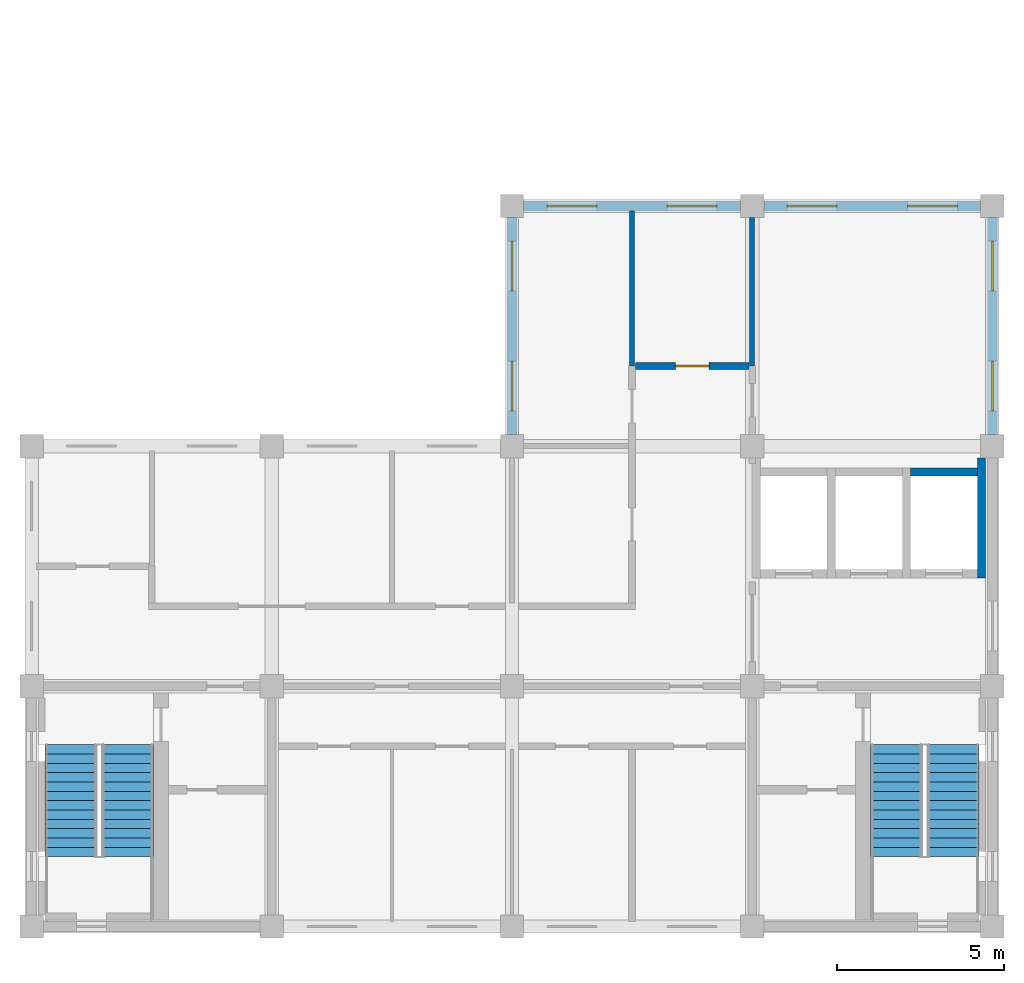
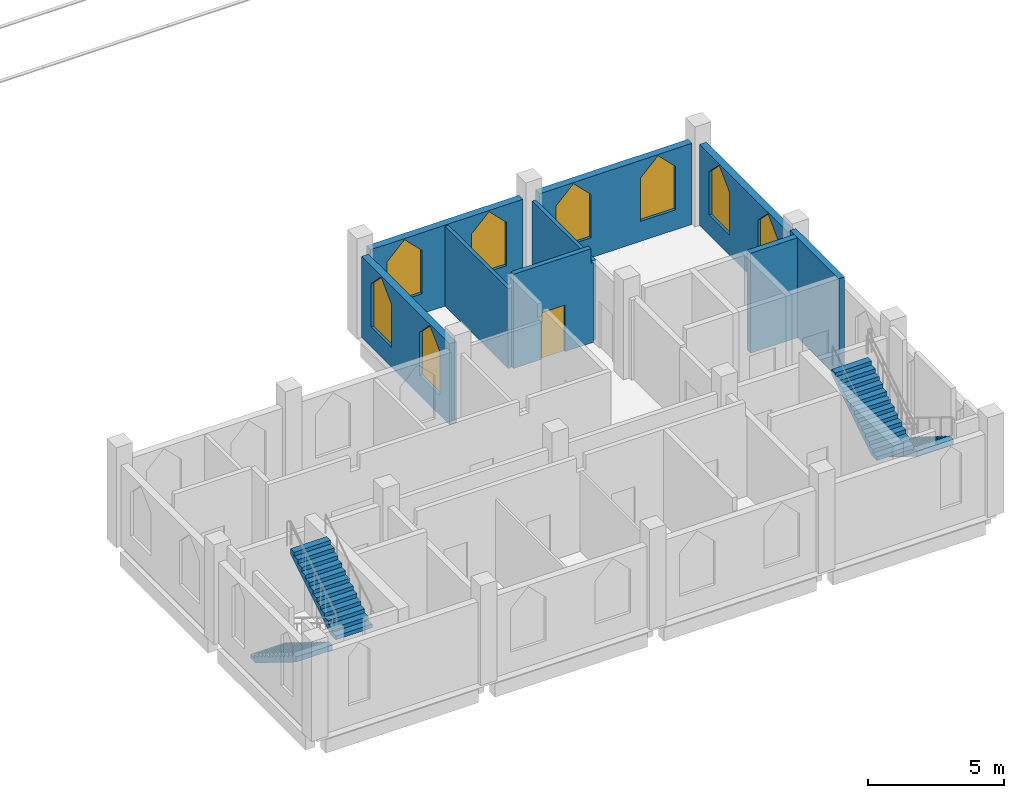
# One storey, part 4 of 5: 9 walls, 8 windows, 4 stair flights, 1 door, 9 openings, 2 elements without a shape of their own.
"""IFC4 building model written with IfcOpenShell, lengths in metres."""

import ifcopenshell
import ifcopenshell.guid

model = None  # the IFC model being written
_history = None  # IfcOwnerHistory: only IFC2X3 demands one
_inside = {}  # id of a spatial element -> (the spatial element, [elements in it])
_under = {}  # id of a project, library or spatial element -> (it, [spatial elements below it])
_declared = {}  # id of a project -> (the project, [libraries it declares])
_typed = {}  # id of a type object -> (the type object, [elements of that type])
_made_of = {}  # id of a material, layer set ... -> (it, [elements and type objects made of it])


def new_model(schema):
    """Start an empty IFC model of exactly this schema.

    Asked for "IFC4X3", IfcOpenShell would pick the latest addendum, in which some entities
    have other attributes; the version numbers below select the first issue.
    IFC2X3 requires an IfcOwnerHistory on every rooted entity: one is made here for all.
    """
    global model, _history
    if schema == "IFC4X3":
        model = ifcopenshell.file(schema_version=(4, 3, 0, 0))
    else:
        model = ifcopenshell.file(schema=schema)
    _inside.clear()
    _under.clear()
    _declared.clear()
    _typed.clear()
    _made_of.clear()
    _history = None
    if model.schema == "IFC2X3":
        org = make("IfcOrganization", Name="unknown")
        user = make(
            "IfcPersonAndOrganization",
            ThePerson=make("IfcPerson", FamilyName="unknown"),
            TheOrganization=org,
        )
        app = make(
            "IfcApplication",
            ApplicationDeveloper=org,
            Version="unknown",
            ApplicationFullName="unknown",
            ApplicationIdentifier="unknown",
        )
        _history = make(
            "IfcOwnerHistory",
            OwningUser=user,
            OwningApplication=app,
            ChangeAction="ADDED",
            CreationDate=0,
        )
    return model


def make(cls, **values):
    """One entity of the class cls with the attributes given. An attribute that is None is left unset."""
    return model.create_entity(
        cls, **{name: value for name, value in values.items() if value is not None}
    )


def rooted(cls, **values):
    """An entity with a GlobalId (a new one), such as an element, a storey or a relation."""
    return make(cls, GlobalId=ifcopenshell.guid.new(), OwnerHistory=_history, **values)


def si_unit(unit_type, name, prefix=None):
    """IfcSIUnit, for example si_unit("LENGTHUNIT", "METRE", prefix="MILLI")."""
    return make("IfcSIUnit", UnitType=unit_type, Prefix=prefix, Name=name)


def assignment(units):
    """IfcUnitAssignment: the units of a project."""
    return None if units is None else make("IfcUnitAssignment", Units=units)


def point(xyz):
    """IfcCartesianPoint."""
    return None if xyz is None else make("IfcCartesianPoint", Coordinates=xyz)


def direction(xyz):
    """IfcDirection."""
    return None if xyz is None else make("IfcDirection", DirectionRatios=xyz)


def frame(location, z_axis=None, x_axis=None):
    """IfcAxis2Placement3D, a coordinate frame: its origin and axes. An axis left out is left unset."""
    return make(
        "IfcAxis2Placement3D",
        Location=point(location),
        Axis=direction(z_axis),
        RefDirection=direction(x_axis),
    )


def frame_2d(location, x_axis=None):
    """IfcAxis2Placement2D, a coordinate frame in the plane: its origin and x axis."""
    return make(
        "IfcAxis2Placement2D", Location=point(location), RefDirection=direction(x_axis)
    )


def origin():
    """The frame at (0, 0, 0) with its axes left unset."""
    return frame((0.0, 0.0, 0.0))


def place(relative_to, where):
    """IfcLocalPlacement: puts the frame where relative to a parent placement (None: the world)."""
    return make(
        "IfcLocalPlacement", PlacementRelTo=relative_to, RelativePlacement=where
    )


def context(
    kind, dimensions, precision=None, world=None, true_north=None, identifier=None
):
    """IfcGeometricRepresentationContext, for example the 3D "Model" context."""
    return make(
        "IfcGeometricRepresentationContext",
        ContextIdentifier=identifier,
        ContextType=kind,
        CoordinateSpaceDimension=dimensions,
        Precision=precision,
        WorldCoordinateSystem=world,
        TrueNorth=true_north,
    )


def subcontext(parent, identifier, kind, view, scale=None):
    """IfcGeometricRepresentationSubContext, for example "Body" below "Model"."""
    return make(
        "IfcGeometricRepresentationSubContext",
        ContextIdentifier=identifier,
        ContextType=kind,
        ParentContext=parent,
        TargetScale=scale,
        TargetView=view,
    )


def project(units=None, contexts=None):
    """IfcProject with its units and contexts."""
    return rooted(
        "IfcProject",
        Name="project",
        RepresentationContexts=contexts,
        UnitsInContext=assignment(units),
    )


def spatial(cls, under=None, at=None, **own):
    """A site, building, storey or space (cls), placed at a placement, below another one or the project."""
    s = rooted(cls, ObjectPlacement=at, **own)
    if under is not None:
        _under.setdefault(under.id(), (under, []))[1].append(s)
    return s


def polyline(points):
    """IfcPolyline through the points."""
    return make("IfcPolyline", Points=[point(p) for p in points])


def profile(cls, at=None, kind="AREA", **sizes):
    """A parametric profile (cls). Its sizes go by their IFC names, for example OverallWidth=200.0."""
    return make(cls, ProfileType=kind, Position=at, **sizes)


def rectangle(**sizes):
    """IfcRectangleProfileDef."""
    return profile("IfcRectangleProfileDef", **sizes)


def outline(outer, holes=None, kind="AREA"):
    """IfcArbitraryClosedProfileDef: a profile drawn as a closed curve; with holes, ...WithVoids."""
    if holes is None:
        return make("IfcArbitraryClosedProfileDef", ProfileType=kind, OuterCurve=outer)
    return make(
        "IfcArbitraryProfileDefWithVoids",
        ProfileType=kind,
        OuterCurve=outer,
        InnerCurves=holes,
    )


def extrude(swept, where, along, depth):
    """IfcExtrudedAreaSolid: the profile swept, set in the frame where, extruded along a direction by depth."""
    return make(
        "IfcExtrudedAreaSolid",
        SweptArea=swept,
        Position=where,
        ExtrudedDirection=direction(along),
        Depth=depth,
    )


def shape(context_of_items, identifier, shape_type, items):
    """IfcShapeRepresentation: the items that make up one representation, for example the "Body"."""
    return make(
        "IfcShapeRepresentation",
        ContextOfItems=context_of_items,
        RepresentationIdentifier=identifier,
        RepresentationType=shape_type,
        Items=items,
    )


def material(Name=None, Category=None):
    """IfcMaterial."""
    return make("IfcMaterial", Name=Name, Category=Category)


def layer(
    of_material, thickness, ventilated=None, Name=None, Category=None, Priority=None
):
    """IfcMaterialLayer: one layer of a wall or slab, of a material (None: an air gap)."""
    return make(
        "IfcMaterialLayer",
        Material=of_material,
        LayerThickness=thickness,
        IsVentilated=ventilated,
        Name=Name,
        Category=Category,
        Priority=Priority,
    )


def layer_set(layers, Name=None):
    """IfcMaterialLayerSet."""
    return make("IfcMaterialLayerSet", MaterialLayers=layers, LayerSetName=Name)


def made_of(thing, what):
    """Note that an element or type object is made of a material, layer set ...; save() writes the relation."""
    if what is not None:
        _made_of.setdefault(what.id(), (what, []))[1].append(thing)
    return thing


def type_object(cls, material=None, **own):
    """A type object (cls), such as IfcWallType, which elements share."""
    return made_of(rooted(cls, **own), material)


def element(
    cls,
    number,
    at=None,
    inside=None,
    cuts=None,
    type_object=None,
    material=None,
    context=None,
    identifier="Body",
    shape_type=None,
    held_by="IfcProductDefinitionShape",
    body=None,
    shapes=None,
    **own,
):
    """One element of the class cls, such as IfcWall. Its Tag is "e" and its number.

    at: its placement. inside: the storey or other place that contains it. cuts: it is an
    opening in that element (IfcRelVoidsElement). A single representation is given by context,
    identifier, shape_type and body (its items); several are given by shapes. held_by: the class
    of the entity that holds the representations. save() writes the other relations.
    """
    e = rooted(cls, Tag="e%d" % number, ObjectPlacement=at, **own)
    if body is not None:
        shapes = [shape(context, identifier, shape_type, body)]
    if shapes is not None:
        e.Representation = make(held_by, Representations=shapes)
    if inside is not None:
        _inside.setdefault(inside.id(), (inside, []))[1].append(e)
    if cuts is not None:
        rooted(
            "IfcRelVoidsElement", RelatingBuildingElement=cuts, RelatedOpeningElement=e
        )
    if type_object is not None:
        _typed.setdefault(type_object.id(), (type_object, []))[1].append(e)
    return made_of(e, material)


def fill(opening, filler):
    """IfcRelFillsElement: the door or window that sits in an opening."""
    return rooted(
        "IfcRelFillsElement",
        RelatingOpeningElement=opening,
        RelatedBuildingElement=filler,
    )


def aggregate(whole, parts):
    """IfcRelAggregates: a whole, such as a stair, and the parts it consists of."""
    return rooted("IfcRelAggregates", RelatingObject=whole, RelatedObjects=parts)


def save(model, path):
    """Write the relations noted so far, then the file.

    IfcRelAggregates (storeys below a building ...), IfcRelContainedInSpatialStructure (elements
    in a storey), IfcRelDefinesByType, IfcRelAssociatesMaterial and IfcRelDeclares: one each for
    every whole, place, type object, material and project.
    """
    for whole, parts in _under.values():
        aggregate(whole, parts)
    for where, things in _inside.values():
        rooted(
            "IfcRelContainedInSpatialStructure",
            RelatedElements=things,
            RelatingStructure=where,
        )
    for kind, things in _typed.values():
        rooted("IfcRelDefinesByType", RelatedObjects=things, RelatingType=kind)
    for what, things in _made_of.values():
        rooted("IfcRelAssociatesMaterial", RelatedObjects=things, RelatingMaterial=what)
    for by, libraries in _declared.values():
        rooted("IfcRelDeclares", RelatingContext=by, RelatedDefinitions=libraries)
    model.write(path)


model = new_model("IFC4")

# Units and contexts
model_context = context("Model", 3, precision=1e-05, world=origin(), true_north=direction((0.0, 1.0)))
body_context = subcontext(model_context, "Body", "Model", "MODEL_VIEW")
ifc_project = project(units=[si_unit("LENGTHUNIT", "METRE"), si_unit("AREAUNIT", "SQUARE_METRE"), si_unit("VOLUMEUNIT", "CUBIC_METRE"), si_unit("PLANEANGLEUNIT", "RADIAN"), si_unit("MASSUNIT", "GRAM", prefix="KILO")], contexts=[model_context])

# Site, building, storey
site_placement = place(None, origin())
site = spatial("IfcSite", under=ifc_project, at=site_placement, CompositionType="ELEMENT")
building_placement = place(site_placement, origin())
building = spatial("IfcBuilding", under=site, at=building_placement, Name="Silangan Lancet Faculty of Sciences", CompositionType="ELEMENT")
storey_placement = place(building_placement, frame((0.0, 0.0, 63.300048828125)))
storey = spatial("IfcBuildingStorey", under=building, at=storey_placement, Name="L13", CompositionType="ELEMENT", Elevation=63.300048828125)

# Wall, openings, windows
ifc_material_1 = material(Name="Concrete C40/50 precast", Category="concrete")
ifc_layer_1 = layer(ifc_material_1, 0.300048828125)
ifc_layer_set_1 = layer_set([ifc_layer_1], Name="Concrete C40/50 precast")
wall_type_1 = type_object("IfcWallType", Name="EW1 Precast cladding wall", PredefinedType="STANDARD", material=ifc_layer_set_1)
wall_1_placement = place(storey_placement, frame((28.800048828125, 14.75, 0.0), z_axis=(0.0, 0.0, 1.0), x_axis=(0.0, 1.0, 0.0)))
wall_1 = element("IfcWall", 1, at=wall_1_placement, inside=storey, type_object=wall_type_1, Name="EW-L13-E-ST-02", PredefinedType="STANDARD", context=body_context, shape_type="SweptSolid", body=[
    extrude(rectangle(XDim=6.5, YDim=0.300048828125, at=frame_2d((3.25, 0.0))), origin(), (0.0, 0.0, 1.0), 3.64990234375),
])
opening_1_placement = place(wall_1_placement, frame((0.699951171875, 0.0, 0.89990234375)))
opening_1 = element("IfcOpeningElement", 2, at=opening_1_placement, cuts=wall_1, Name="Opening W23", PredefinedType="OPENING", context=body_context, shape_type="SweptSolid", body=[
    extrude(outline(polyline([(0.0, 0.0), (1.5, 0.0), (1.5, 1.949951171875), (0.75, 2.699951171875), (0.0, 1.949951171875), (0.0, 0.0)])), frame((0.0, 0.159912109375, 0.0), z_axis=(0.0, -1.0, 0.0), x_axis=(1.0, 0.0, 0.0)), (0.0, 0.0, 1.0), 0.320068359375),
])
opening_2_placement = place(wall_1_placement, frame((4.300048828125, 0.0, 0.89990234375)))
opening_2 = element("IfcOpeningElement", 3, at=opening_2_placement, cuts=wall_1, Name="Opening W23", PredefinedType="OPENING", context=body_context, shape_type="SweptSolid", body=[
    extrude(outline(polyline([(0.0, 0.0), (1.5, 0.0), (1.5, 1.949951171875), (0.75, 2.699951171875), (0.0, 1.949951171875), (0.0, 0.0)])), frame((0.0, 0.159912109375, 0.0), z_axis=(0.0, -1.0, 0.0), x_axis=(1.0, 0.0, 0.0)), (0.0, 0.0, 1.0), 0.320068359375),
])
ifc_material_2 = material(Name="Aluminium frame, laminated double glazing", Category="aluminium")
window_type = type_object("IfcWindowType", Name="W23 Lancet window 1500 x 2700", PartitioningType="SINGLE_PANEL", PredefinedType="WINDOW", material=ifc_material_2)
window_1_placement = place(opening_1_placement, origin())
window_1 = element("IfcWindow", 4, at=window_1_placement, inside=storey, type_object=window_type, Name="WIN-L13-E-ST-02a", OverallHeight=2.699951171875, OverallWidth=1.5, PartitioningType="SINGLE_PANEL", PredefinedType="WINDOW", context=body_context, shape_type="SweptSolid", body=[
    extrude(outline(polyline([(0.0, 0.0), (1.5, 0.0), (1.5, 1.949951171875), (0.75, 2.699951171875), (0.0, 1.949951171875), (0.0, 0.0)])), frame((0.0, 0.030029296875, 0.0), z_axis=(0.0, -1.0, 0.0), x_axis=(1.0, 0.0, 0.0)), (0.0, 0.0, 1.0), 0.06005859375),
])
fill(opening_1, window_1)
window_2_placement = place(opening_2_placement, origin())
window_2 = element("IfcWindow", 5, at=window_2_placement, inside=storey, type_object=window_type, Name="WIN-L13-E-ST-02b", OverallHeight=2.699951171875, OverallWidth=1.5, PartitioningType="SINGLE_PANEL", PredefinedType="WINDOW", context=body_context, shape_type="SweptSolid", body=[
    extrude(outline(polyline([(0.0, 0.0), (1.5, 0.0), (1.5, 1.949951171875), (0.75, 2.699951171875), (0.0, 1.949951171875), (0.0, 0.0)])), frame((0.0, 0.030029296875, 0.0), z_axis=(0.0, -1.0, 0.0), x_axis=(1.0, 0.0, 0.0)), (0.0, 0.0, 1.0), 0.06005859375),
])
fill(opening_2, window_2)

wall_2_placement = place(storey_placement, frame((28.449951171875, 21.60009765625, 0.0), z_axis=(0.0, 0.0, 1.0), x_axis=(-1.0, 0.0, 0.0)))
wall_2 = element("IfcWall", 6, at=wall_2_placement, inside=storey, type_object=wall_type_1, Name="EW-L13-N-ST-M-00", PredefinedType="STANDARD", context=body_context, shape_type="SweptSolid", body=[
    extrude(rectangle(XDim=6.5, YDim=0.300048828125, at=frame_2d((3.25, 0.0))), origin(), (0.0, 0.0, 1.0), 3.64990234375),
])
opening_3_placement = place(wall_2_placement, frame((0.699951171875, 0.0, 0.89990234375)))
opening_3 = element("IfcOpeningElement", 7, at=opening_3_placement, cuts=wall_2, Name="Opening W23", PredefinedType="OPENING", context=body_context, shape_type="SweptSolid", body=[
    extrude(outline(polyline([(0.0, 0.0), (1.5, 0.0), (1.5, 1.949951171875), (0.75, 2.699951171875), (0.0, 1.949951171875), (0.0, 0.0)])), frame((0.0, 0.159912109375, 0.0), z_axis=(0.0, -1.0, 0.0), x_axis=(1.0, 0.0, 0.0)), (0.0, 0.0, 1.0), 0.320068359375),
])
opening_4_placement = place(wall_2_placement, frame((4.300048828125, 0.0, 0.89990234375)))
opening_4 = element("IfcOpeningElement", 8, at=opening_4_placement, cuts=wall_2, Name="Opening W23", PredefinedType="OPENING", context=body_context, shape_type="SweptSolid", body=[
    extrude(outline(polyline([(0.0, 0.0), (1.5, 0.0), (1.5, 1.949951171875), (0.75, 2.699951171875), (0.0, 1.949951171875), (0.0, 0.0)])), frame((0.0, 0.159912109375, 0.0), z_axis=(0.0, -1.0, 0.0), x_axis=(1.0, 0.0, 0.0)), (0.0, 0.0, 1.0), 0.320068359375),
])
window_3_placement = place(opening_3_placement, origin())
window_3 = element("IfcWindow", 9, at=window_3_placement, inside=storey, type_object=window_type, Name="WIN-L13-N-ST-M-00a", OverallHeight=2.699951171875, OverallWidth=1.5, PartitioningType="SINGLE_PANEL", PredefinedType="WINDOW", context=body_context, shape_type="SweptSolid", body=[
    extrude(outline(polyline([(0.0, 0.0), (1.5, 0.0), (1.5, 1.949951171875), (0.75, 2.699951171875), (0.0, 1.949951171875), (0.0, 0.0)])), frame((0.0, 0.030029296875, 0.0), z_axis=(0.0, -1.0, 0.0), x_axis=(1.0, 0.0, 0.0)), (0.0, 0.0, 1.0), 0.06005859375),
])
fill(opening_3, window_3)
window_4_placement = place(opening_4_placement, origin())
window_4 = element("IfcWindow", 10, at=window_4_placement, inside=storey, type_object=window_type, Name="WIN-L13-N-ST-M-00b", OverallHeight=2.699951171875, OverallWidth=1.5, PartitioningType="SINGLE_PANEL", PredefinedType="WINDOW", context=body_context, shape_type="SweptSolid", body=[
    extrude(outline(polyline([(0.0, 0.0), (1.5, 0.0), (1.5, 1.949951171875), (0.75, 2.699951171875), (0.0, 1.949951171875), (0.0, 0.0)])), frame((0.0, 0.030029296875, 0.0), z_axis=(0.0, -1.0, 0.0), x_axis=(1.0, 0.0, 0.0)), (0.0, 0.0, 1.0), 0.06005859375),
])
fill(opening_4, window_4)

wall_3_placement = place(storey_placement, frame((21.25, 21.60009765625, 0.0), z_axis=(0.0, 0.0, 1.0), x_axis=(-1.0, 0.0, 0.0)))
wall_3 = element("IfcWall", 11, at=wall_3_placement, inside=storey, type_object=wall_type_1, Name="EW-L13-N-ST-M-01", PredefinedType="STANDARD", context=body_context, shape_type="SweptSolid", body=[
    extrude(rectangle(XDim=6.5, YDim=0.300048828125, at=frame_2d((3.25, 0.0))), origin(), (0.0, 0.0, 1.0), 3.64990234375),
])
opening_5_placement = place(wall_3_placement, frame((0.699951171875, 0.0, 0.89990234375)))
opening_5 = element("IfcOpeningElement", 12, at=opening_5_placement, cuts=wall_3, Name="Opening W23", PredefinedType="OPENING", context=body_context, shape_type="SweptSolid", body=[
    extrude(outline(polyline([(0.0, 0.0), (1.5, 0.0), (1.5, 1.949951171875), (0.75, 2.699951171875), (0.0, 1.949951171875), (0.0, 0.0)])), frame((0.0, 0.159912109375, 0.0), z_axis=(0.0, -1.0, 0.0), x_axis=(1.0, 0.0, 0.0)), (0.0, 0.0, 1.0), 0.320068359375),
])
opening_6_placement = place(wall_3_placement, frame((4.300048828125, 0.0, 0.89990234375)))
opening_6 = element("IfcOpeningElement", 13, at=opening_6_placement, cuts=wall_3, Name="Opening W23", PredefinedType="OPENING", context=body_context, shape_type="SweptSolid", body=[
    extrude(outline(polyline([(0.0, 0.0), (1.5, 0.0), (1.5, 1.949951171875), (0.75, 2.699951171875), (0.0, 1.949951171875), (0.0, 0.0)])), frame((0.0, 0.159912109375, 0.0), z_axis=(0.0, -1.0, 0.0), x_axis=(1.0, 0.0, 0.0)), (0.0, 0.0, 1.0), 0.320068359375),
])
window_5_placement = place(opening_5_placement, origin())
window_5 = element("IfcWindow", 14, at=window_5_placement, inside=storey, type_object=window_type, Name="WIN-L13-N-ST-M-01a", OverallHeight=2.699951171875, OverallWidth=1.5, PartitioningType="SINGLE_PANEL", PredefinedType="WINDOW", context=body_context, shape_type="SweptSolid", body=[
    extrude(outline(polyline([(0.0, 0.0), (1.5, 0.0), (1.5, 1.949951171875), (0.75, 2.699951171875), (0.0, 1.949951171875), (0.0, 0.0)])), frame((0.0, 0.030029296875, 0.0), z_axis=(0.0, -1.0, 0.0), x_axis=(1.0, 0.0, 0.0)), (0.0, 0.0, 1.0), 0.06005859375),
])
fill(opening_5, window_5)
window_6_placement = place(opening_6_placement, origin())
window_6 = element("IfcWindow", 15, at=window_6_placement, inside=storey, type_object=window_type, Name="WIN-L13-N-ST-M-01b", OverallHeight=2.699951171875, OverallWidth=1.5, PartitioningType="SINGLE_PANEL", PredefinedType="WINDOW", context=body_context, shape_type="SweptSolid", body=[
    extrude(outline(polyline([(0.0, 0.0), (1.5, 0.0), (1.5, 1.949951171875), (0.75, 2.699951171875), (0.0, 1.949951171875), (0.0, 0.0)])), frame((0.0, 0.030029296875, 0.0), z_axis=(0.0, -1.0, 0.0), x_axis=(1.0, 0.0, 0.0)), (0.0, 0.0, 1.0), 0.06005859375),
])
fill(opening_6, window_6)

wall_4_placement = place(storey_placement, frame((14.39990234375, 14.75, 0.0), z_axis=(0.0, 0.0, 1.0), x_axis=(0.0, 1.0, 0.0)))
wall_4 = element("IfcWall", 16, at=wall_4_placement, inside=storey, type_object=wall_type_1, Name="EW-L13-W-ST-R-00", PredefinedType="STANDARD", context=body_context, shape_type="SweptSolid", body=[
    extrude(rectangle(XDim=6.5, YDim=0.300048828125, at=frame_2d((3.25, 0.0))), origin(), (0.0, 0.0, 1.0), 3.64990234375),
])
opening_7_placement = place(wall_4_placement, frame((0.699951171875, 0.0, 0.89990234375)))
opening_7 = element("IfcOpeningElement", 17, at=opening_7_placement, cuts=wall_4, Name="Opening W23", PredefinedType="OPENING", context=body_context, shape_type="SweptSolid", body=[
    extrude(outline(polyline([(0.0, 0.0), (1.5, 0.0), (1.5, 1.949951171875), (0.75, 2.699951171875), (0.0, 1.949951171875), (0.0, 0.0)])), frame((0.0, 0.159912109375, 0.0), z_axis=(0.0, -1.0, 0.0), x_axis=(1.0, 0.0, 0.0)), (0.0, 0.0, 1.0), 0.320068359375),
])
opening_8_placement = place(wall_4_placement, frame((4.300048828125, 0.0, 0.89990234375)))
opening_8 = element("IfcOpeningElement", 18, at=opening_8_placement, cuts=wall_4, Name="Opening W23", PredefinedType="OPENING", context=body_context, shape_type="SweptSolid", body=[
    extrude(outline(polyline([(0.0, 0.0), (1.5, 0.0), (1.5, 1.949951171875), (0.75, 2.699951171875), (0.0, 1.949951171875), (0.0, 0.0)])), frame((0.0, 0.159912109375, 0.0), z_axis=(0.0, -1.0, 0.0), x_axis=(1.0, 0.0, 0.0)), (0.0, 0.0, 1.0), 0.320068359375),
])
window_7_placement = place(opening_7_placement, origin())
window_7 = element("IfcWindow", 19, at=window_7_placement, inside=storey, type_object=window_type, Name="WIN-L13-W-ST-R-00a", OverallHeight=2.699951171875, OverallWidth=1.5, PartitioningType="SINGLE_PANEL", PredefinedType="WINDOW", context=body_context, shape_type="SweptSolid", body=[
    extrude(outline(polyline([(0.0, 0.0), (1.5, 0.0), (1.5, 1.949951171875), (0.75, 2.699951171875), (0.0, 1.949951171875), (0.0, 0.0)])), frame((0.0, 0.030029296875, 0.0), z_axis=(0.0, -1.0, 0.0), x_axis=(1.0, 0.0, 0.0)), (0.0, 0.0, 1.0), 0.06005859375),
])
fill(opening_7, window_7)
window_8_placement = place(opening_8_placement, origin())
window_8 = element("IfcWindow", 20, at=window_8_placement, inside=storey, type_object=window_type, Name="WIN-L13-W-ST-R-00b", OverallHeight=2.699951171875, OverallWidth=1.5, PartitioningType="SINGLE_PANEL", PredefinedType="WINDOW", context=body_context, shape_type="SweptSolid", body=[
    extrude(outline(polyline([(0.0, 0.0), (1.5, 0.0), (1.5, 1.949951171875), (0.75, 2.699951171875), (0.0, 1.949951171875), (0.0, 0.0)])), frame((0.0, 0.030029296875, 0.0), z_axis=(0.0, -1.0, 0.0), x_axis=(1.0, 0.0, 0.0)), (0.0, 0.0, 1.0), 0.06005859375),
])
fill(opening_8, window_8)

# Wall, opening, door
ifc_material_3 = material(Name="Hollow block masonry fm 7 MPa", Category="masonry")
ifc_layer_2 = layer(ifc_material_3, 0.199951171875)
ifc_layer_set_2 = layer_set([ifc_layer_2], Name="Hollow block masonry fm 7 MPa")
wall_type_2 = type_object("IfcWallType", Name="Interior wall PW1 Corridor wall CHB 200", PredefinedType="PARTITIONING", material=ifc_layer_set_2)
wall_5_placement = place(storey_placement, frame((18.10009765625, 16.800048828125, 0.0), z_axis=(0.0, 0.0, 1.0), x_axis=(1.0, 0.0, 0.0)))
wall_5 = element("IfcWall", 21, at=wall_5_placement, inside=storey, type_object=wall_type_2, Name="Corridor wall CHB 200", PredefinedType="PARTITIONING", context=body_context, shape_type="SweptSolid", body=[
    extrude(outline(polyline([(0.0, 0.0), (3.39990234375, 0.0), (3.39990234375, 3.599853515625), (3.2998046875, 3.599853515625), (3.2998046875, 4.25), (0.0, 4.25), (0.0, 0.0)])), frame((0.0, 0.10009765625, 0.0), z_axis=(0.0, -1.0, 0.0), x_axis=(1.0, 0.0, 0.0)), (0.0, 0.0, 1.0), 0.199951171875),
])
opening_9_placement = place(wall_5_placement, frame((1.199951171875, 0.0, 0.0)))
opening_9 = element("IfcOpeningElement", 22, at=opening_9_placement, cuts=wall_5, Name="Opening L13-008", PredefinedType="OPENING", context=body_context, shape_type="SweptSolid", body=[
    extrude(rectangle(XDim=1.0, YDim=2.10009765625, at=frame_2d((0.5, 1.050048828125))), frame((0.0, 0.10986328125, 0.0), z_axis=(0.0, -1.0, 0.0), x_axis=(1.0, 0.0, 0.0)), (0.0, 0.0, 1.0), 0.219970703125),
])
ifc_material_4 = material(Name="Steel fire door set", Category="steel")
door_type = type_object("IfcDoorType", Name="Door D1 Single leaf fire door 1000 x 2100", OperationType="SINGLE_SWING_LEFT", PredefinedType="DOOR", material=ifc_material_4)
door_placement = place(opening_9_placement, origin())
door = element("IfcDoor", 23, at=door_placement, inside=storey, type_object=door_type, Name="Single leaf fire door 1000 x 2100", OperationType="SINGLE_SWING_RIGHT", OverallHeight=2.10009765625, OverallWidth=1.0, PredefinedType="DOOR", context=body_context, shape_type="SweptSolid", body=[
    extrude(rectangle(XDim=1.0, YDim=2.10009765625, at=frame_2d((0.5, 1.050048828125))), frame((0.0, 0.02490234375, 0.0), z_axis=(0.0, -1.0, 0.0), x_axis=(1.0, 0.0, 0.0)), (0.0, 0.0, 1.0), 0.050048828125),
])
fill(opening_9, door)

# Walls
ifc_material_5 = material(Name="Hollow block masonry fm 7 MPa", Category="masonry")
ifc_layer_3 = layer(ifc_material_5, 0.14990234375)
ifc_layer_set_3 = layer_set([ifc_layer_3], Name="Hollow block masonry fm 7 MPa")
wall_type_3 = type_object("IfcWallType", Name="Interior wall PW3 Partition CHB 150", PredefinedType="PARTITIONING", material=ifc_layer_set_3)
wall_6_placement = place(storey_placement, frame((18.0, 16.800048828125, 0.0), z_axis=(0.0, 0.0, 1.0), x_axis=(0.0, 1.0, 0.0)))
element("IfcWall", 24, at=wall_6_placement, inside=storey, type_object=wall_type_3, Name="Partition CHB 150", PredefinedType="PARTITIONING", context=body_context, shape_type="SweptSolid", body=[
    extrude(rectangle(XDim=4.64990234375, YDim=0.14990234375, at=frame_2d((2.324951171875, 0.0))), origin(), (0.0, 0.0, 1.0), 3.599853515625),
])
wall_7_placement = place(storey_placement, frame((21.60009765625, 16.800048828125, 0.0), z_axis=(0.0, 0.0, 1.0), x_axis=(0.0, 1.0, 0.0)))
element("IfcWall", 25, at=wall_7_placement, inside=storey, type_object=wall_type_3, Name="Partition CHB 150", PredefinedType="PARTITIONING", context=body_context, shape_type="SweptSolid", body=[
    extrude(rectangle(XDim=4.449951171875, YDim=0.14990234375, at=frame_2d((2.22509765625, 0.0))), origin(), (0.0, 0.0, 1.0), 3.599853515625),
])
ifc_material_6 = material(Name="Concrete C40/50", Category="concrete")
ifc_layer_4 = layer(ifc_material_6, 0.25)
ifc_layer_set_4 = layer_set([ifc_layer_4], Name="Concrete C40/50")
wall_type_4 = type_object("IfcWallType", Name="LIFT SHAFT WALL RC 250", PredefinedType="SHEAR", material=ifc_layer_set_4)
wall_8_placement = place(storey_placement, frame((28.47509765625, 10.449951171875, -0.25), z_axis=(0.0, 0.0, 1.0), x_axis=(0.0, 1.0, 0.0)))
element("IfcWall", 26, at=wall_8_placement, inside=storey, type_object=wall_type_4, Name="WALL-L13-ST-SW4", PredefinedType="SHEAR", context=body_context, shape_type="SweptSolid", body=[
    extrude(rectangle(XDim=3.60009765625, YDim=0.25, at=frame_2d((1.800048828125, 0.0))), origin(), (0.0, 0.0, 1.0), 4.5),
])
wall_9_placement = place(storey_placement, frame((26.35009765625, 13.625, -0.25), z_axis=(0.0, 0.0, 1.0), x_axis=(1.0, 0.0, 0.0)))
element("IfcWall", 27, at=wall_9_placement, inside=storey, type_object=wall_type_4, Name="WALL-L13-ST-L3-B", PredefinedType="SHEAR", context=body_context, shape_type="SweptSolid", body=[
    extrude(rectangle(XDim=2.0, YDim=0.25, at=frame_2d((1.0, 0.0))), origin(), (0.0, 0.0, 1.0), 4.5),
])

# Stair, stair flights
ifc_material_7 = material(Name="Concrete C40/50", Category="concrete")
stair_type = type_object("IfcStairType", Name="TURRET STAIR 1550 TWO-FLIGHT", PredefinedType="HALF_TURN_STAIR", material=ifc_material_7)
stair_1_placement = place(storey_placement, origin())
stair_1 = element("IfcStair", 28, at=stair_1_placement, inside=storey, type_object=stair_type, Name="ST-A stair L13", PredefinedType="HALF_TURN_STAIR")
ifc_material_8 = material(Name="Concrete C40/50", Category="concrete")
stair_flight_type = type_object("IfcStairFlightType", Name="TURRET STAIR FLIGHT 1550", PredefinedType="STRAIGHT", material=ifc_material_8)
stair_flight_1_placement = place(storey_placement, frame((1.175048828125, 5.449951171875, 0.0), z_axis=(0.0, 0.0, 1.0), x_axis=(0.0, -1.0, 0.0)))
stair_flight_1 = element("IfcStairFlight", 29, at=stair_flight_1_placement, type_object=stair_flight_type, Name="STR1 flight 1", NumberOfRisers=13, NumberOfTreads=12, PredefinedType="STRAIGHT", RiserHeight=0.173076923, TreadLength=0.28, context=body_context, shape_type="SweptSolid", body=[
    extrude(outline(polyline([(0.0, 0.0), (0.0, 0.173095703125), (0.280029296875, 0.173095703125), (0.280029296875, 0.34619140625), (0.56005859375, 0.34619140625), (0.56005859375, 0.519287109375), (0.840087890625, 0.519287109375), (0.840087890625, 0.6923828125), (1.1201171875, 0.6923828125), (1.1201171875, 0.865478515625), (1.39990234375, 0.865478515625), (1.39990234375, 1.03857421875), (1.679931640625, 1.03857421875), (1.679931640625, 1.21142578125), (1.9599609375, 1.21142578125), (1.9599609375, 1.384521484375), (2.239990234375, 1.384521484375), (2.239990234375, 1.5576171875), (2.52001953125, 1.5576171875), (2.52001953125, 1.730712890625), (2.800048828125, 1.730712890625), (2.800048828125, 1.90380859375), (3.080078125, 1.90380859375), (3.080078125, 2.076904296875), (3.360107421875, 2.076904296875), (3.360107421875, 2.25), (3.360107421875, 1.841796875), (0.38037109375, 0.0), (0.0, 0.0)])), frame((0.0, 0.77490234375, 0.0), z_axis=(0.0, -1.0, 0.0), x_axis=(1.0, 0.0, 0.0)), (0.0, 0.0, 1.0), 1.550048828125),
])
stair_flight_2_placement = place(storey_placement, frame((2.875, 2.090087890625, 2.25), z_axis=(0.0, 0.0, 1.0), x_axis=(0.0, 1.0, 0.0)))
stair_flight_2 = element("IfcStairFlight", 30, at=stair_flight_2_placement, type_object=stair_flight_type, Name="STR1 flight 2", NumberOfRisers=13, NumberOfTreads=12, PredefinedType="STRAIGHT", RiserHeight=0.173076923, TreadLength=0.28, context=body_context, shape_type="SweptSolid", body=[
    extrude(outline(polyline([(0.0, 0.0), (0.0, 0.173095703125), (0.280029296875, 0.173095703125), (0.280029296875, 0.34619140625), (0.56005859375, 0.34619140625), (0.56005859375, 0.519287109375), (0.840087890625, 0.519287109375), (0.840087890625, 0.6923828125), (1.1201171875, 0.6923828125), (1.1201171875, 0.865478515625), (1.39990234375, 0.865478515625), (1.39990234375, 1.03857421875), (1.679931640625, 1.03857421875), (1.679931640625, 1.21142578125), (1.9599609375, 1.21142578125), (1.9599609375, 1.384521484375), (2.239990234375, 1.384521484375), (2.239990234375, 1.5576171875), (2.52001953125, 1.5576171875), (2.52001953125, 1.730712890625), (2.800048828125, 1.730712890625), (2.800048828125, 1.90380859375), (3.080078125, 1.90380859375), (3.080078125, 2.076904296875), (3.360107421875, 2.076904296875), (3.360107421875, 2.25), (3.360107421875, 1.841796875), (0.38037109375, 0.0), (0.0, 0.0)])), frame((0.0, 0.77490234375, 0.0), z_axis=(0.0, -1.0, 0.0), x_axis=(1.0, 0.0, 0.0)), (0.0, 0.0, 1.0), 1.550048828125),
])
aggregate(stair_1, [stair_flight_1, stair_flight_2])

stair_2_placement = place(storey_placement, origin())
stair_2 = element("IfcStair", 31, at=stair_2_placement, inside=storey, type_object=stair_type, Name="ST-B stair L13", PredefinedType="HALF_TURN_STAIR")
stair_flight_3_placement = place(storey_placement, frame((27.625, 5.449951171875, 0.0), z_axis=(0.0, 0.0, 1.0), x_axis=(0.0, -1.0, 0.0)))
stair_flight_3 = element("IfcStairFlight", 32, at=stair_flight_3_placement, type_object=stair_flight_type, Name="STR2 flight 1", NumberOfRisers=13, NumberOfTreads=12, PredefinedType="STRAIGHT", RiserHeight=0.173076923, TreadLength=0.28, context=body_context, shape_type="SweptSolid", body=[
    extrude(outline(polyline([(0.0, 0.0), (0.0, 0.173095703125), (0.280029296875, 0.173095703125), (0.280029296875, 0.34619140625), (0.56005859375, 0.34619140625), (0.56005859375, 0.519287109375), (0.840087890625, 0.519287109375), (0.840087890625, 0.6923828125), (1.1201171875, 0.6923828125), (1.1201171875, 0.865478515625), (1.39990234375, 0.865478515625), (1.39990234375, 1.03857421875), (1.679931640625, 1.03857421875), (1.679931640625, 1.21142578125), (1.9599609375, 1.21142578125), (1.9599609375, 1.384521484375), (2.239990234375, 1.384521484375), (2.239990234375, 1.5576171875), (2.52001953125, 1.5576171875), (2.52001953125, 1.730712890625), (2.800048828125, 1.730712890625), (2.800048828125, 1.90380859375), (3.080078125, 1.90380859375), (3.080078125, 2.076904296875), (3.360107421875, 2.076904296875), (3.360107421875, 2.25), (3.360107421875, 1.841796875), (0.38037109375, 0.0), (0.0, 0.0)])), frame((0.0, 0.77490234375, 0.0), z_axis=(0.0, -1.0, 0.0), x_axis=(1.0, 0.0, 0.0)), (0.0, 0.0, 1.0), 1.550048828125),
])
stair_flight_4_placement = place(storey_placement, frame((25.925048828125, 2.090087890625, 2.25), z_axis=(0.0, 0.0, 1.0), x_axis=(0.0, 1.0, 0.0)))
stair_flight_4 = element("IfcStairFlight", 33, at=stair_flight_4_placement, type_object=stair_flight_type, Name="STR2 flight 2", NumberOfRisers=13, NumberOfTreads=12, PredefinedType="STRAIGHT", RiserHeight=0.173076923, TreadLength=0.28, context=body_context, shape_type="SweptSolid", body=[
    extrude(outline(polyline([(0.0, 0.0), (0.0, 0.173095703125), (0.280029296875, 0.173095703125), (0.280029296875, 0.34619140625), (0.56005859375, 0.34619140625), (0.56005859375, 0.519287109375), (0.840087890625, 0.519287109375), (0.840087890625, 0.6923828125), (1.1201171875, 0.6923828125), (1.1201171875, 0.865478515625), (1.39990234375, 0.865478515625), (1.39990234375, 1.03857421875), (1.679931640625, 1.03857421875), (1.679931640625, 1.21142578125), (1.9599609375, 1.21142578125), (1.9599609375, 1.384521484375), (2.239990234375, 1.384521484375), (2.239990234375, 1.5576171875), (2.52001953125, 1.5576171875), (2.52001953125, 1.730712890625), (2.800048828125, 1.730712890625), (2.800048828125, 1.90380859375), (3.080078125, 1.90380859375), (3.080078125, 2.076904296875), (3.360107421875, 2.076904296875), (3.360107421875, 2.25), (3.360107421875, 1.841796875), (0.38037109375, 0.0), (0.0, 0.0)])), frame((0.0, 0.77490234375, 0.0), z_axis=(0.0, -1.0, 0.0), x_axis=(1.0, 0.0, 0.0)), (0.0, 0.0, 1.0), 1.550048828125),
])
aggregate(stair_2, [stair_flight_3, stair_flight_4])

save(model, "model.ifc")
